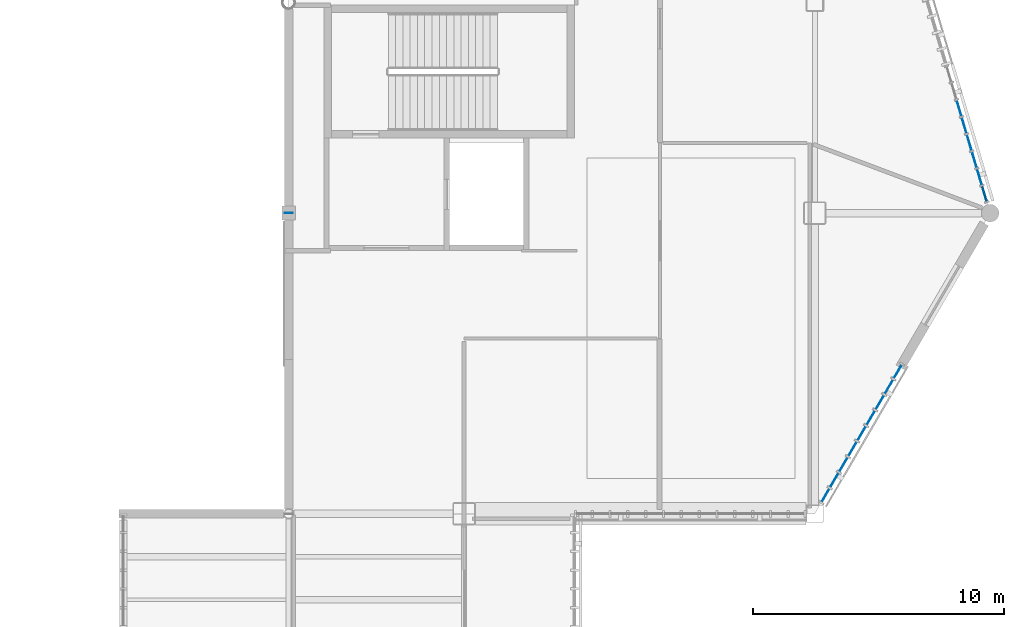
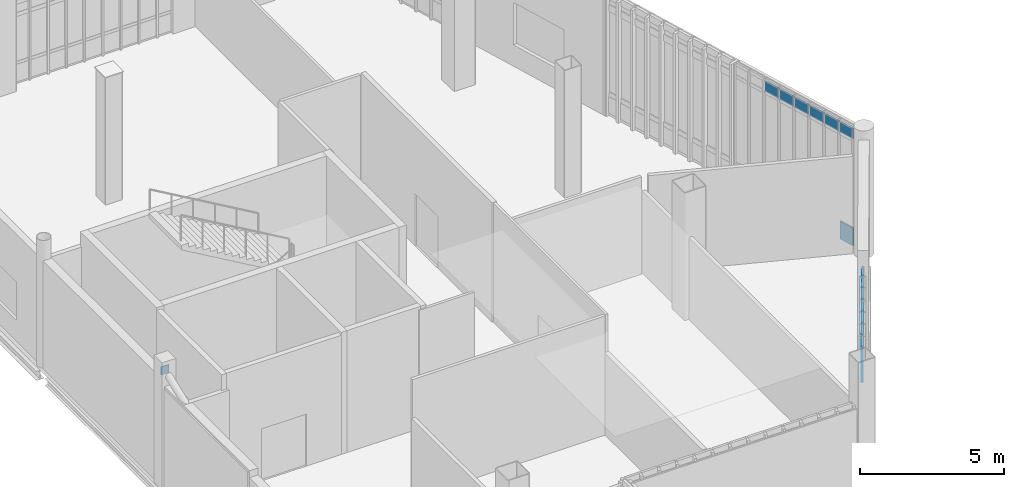
# One storey, part 100 of 127: 17 plates, 2 elements without a shape of their own.
"""IFC4 building model written with IfcOpenShell, lengths in metres."""

from ifc_helpers import new_model, si_unit, direction, frame, origin, origin_2d, place, context, subcontext, project, spatial, rectangle, extrude, material, layer, layer_set, type_object, element, aggregate, save


model = new_model("IFC4")

# Units and contexts
model_context = context("Model", 3, precision=1e-05, world=origin(), true_north=direction((0.0, 1.0)))
body_context = subcontext(model_context, "Body", "Model", "MODEL_VIEW")
ifc_project = project(units=[si_unit("LENGTHUNIT", "METRE"), si_unit("AREAUNIT", "SQUARE_METRE"), si_unit("VOLUMEUNIT", "CUBIC_METRE"), si_unit("PLANEANGLEUNIT", "RADIAN"), si_unit("MASSUNIT", "GRAM", prefix="KILO")], contexts=[model_context])

# Site, building, storey
site_placement = place(None, origin())
site = spatial("IfcSite", under=ifc_project, at=site_placement, CompositionType="ELEMENT")
building_placement = place(site_placement, origin())
building = spatial("IfcBuilding", under=site, at=building_placement, Name="Larkvane Passage Sports Hall", CompositionType="ELEMENT")
storey_placement = place(building_placement, frame((0.0, 0.0, 5.39990234375)))
storey = spatial("IfcBuildingStorey", under=building, at=storey_placement, Name="L01", CompositionType="ELEMENT", Elevation=5.39990234375)

# Curtain wall, plates
ifc_material_1 = material(Name="Thermally broken aluminium and low-E glazing", Category="aluminium")
curtain_wall_type_1 = type_object("IfcCurtainWallType", Name="CW-UNIT-COURT", PredefinedType="USERDEFINED", material=ifc_material_1)
curtain_wall_1_placement = place(storey_placement, origin())
curtain_wall_1 = element("IfcCurtainWall", 1, at=curtain_wall_1_placement, inside=storey, type_object=curtain_wall_type_1, Name="Curtain wall CW5-L01-056", ObjectType="UNITISED CURTAIN WALL", PredefinedType="USERDEFINED")
ifc_material_2 = material(Name="Insulated aluminium spandrel panel", Category="aluminium")
ifc_layer_1 = layer(ifc_material_2, 0.06494140625)
ifc_layer_set_1 = layer_set([ifc_layer_1], Name="Insulated aluminium spandrel panel")
plate_type_1 = type_object("IfcPlateType", Name="CWP-SPD-65", PredefinedType="CURTAIN_PANEL", material=ifc_layer_set_1)
plate_1_placement = place(storey_placement, frame((152.37109375, 76.371826171875, 0.065185546875), z_axis=(0.0, 0.0, 1.0), x_axis=(0.28436317806, -0.958716633299, 0.0)))
plate_1 = element("IfcPlate", 2, at=plate_1_placement, type_object=plate_type_1, Name="CW-01 panel 8.1", PredefinedType="CURTAIN_PANEL", context=body_context, shape_type="SweptSolid", body=[
    extrude(rectangle(XDim=0.617919921875, YDim=0.06494140625, at=origin_2d()), origin(), (0.0, 0.0, 1.0), 0.75244140625),
])
ifc_material_3 = material(Name="Solar-control low-E double glazing", Category="glass")
ifc_layer_2 = layer(ifc_material_3, 0.028076171875)
ifc_layer_set_2 = layer_set([ifc_layer_2], Name="Solar-control low-E double glazing")
plate_type_2 = type_object("IfcPlateType", Name="CWP-VIS-28", PredefinedType="CURTAIN_PANEL", material=ifc_layer_set_2)
plate_2_placement = place(storey_placement, frame((151.358642578125, 79.785400390625, 4.58251953125), z_axis=(0.0, 0.0, 1.0), x_axis=(0.28436317806, -0.958716633299, 0.0)))
plate_2 = element("IfcPlate", 3, at=plate_2_placement, type_object=plate_type_2, Name="CW-01 panel 3.3", PredefinedType="CURTAIN_PANEL", context=body_context, shape_type="SweptSolid", body=[
    extrude(rectangle(XDim=0.650390625, YDim=0.028076171875, at=origin_2d()), origin(), (0.0, 0.0, 1.0), 0.452392578125),
])
plate_3_placement = place(storey_placement, frame((151.56201171875, 79.099609375, 4.58251953125), z_axis=(0.0, 0.0, 1.0), x_axis=(0.28436317806, -0.958716633299, 0.0)))
plate_3 = element("IfcPlate", 4, at=plate_3_placement, type_object=plate_type_2, Name="CW-01 panel 4.3", PredefinedType="CURTAIN_PANEL", context=body_context, shape_type="SweptSolid", body=[
    extrude(rectangle(XDim=0.650390625, YDim=0.028076171875, at=origin_2d()), origin(), (0.0, 0.0, 1.0), 0.452392578125),
])
plate_4_placement = place(storey_placement, frame((151.765380859375, 78.413818359375, 4.58251953125), z_axis=(0.0, 0.0, 1.0), x_axis=(0.28436317806, -0.958716633299, 0.0)))
plate_4 = element("IfcPlate", 5, at=plate_4_placement, type_object=plate_type_2, Name="CW-01 panel 5.3", PredefinedType="CURTAIN_PANEL", context=body_context, shape_type="SweptSolid", body=[
    extrude(rectangle(XDim=0.650390625, YDim=0.028076171875, at=origin_2d()), origin(), (0.0, 0.0, 1.0), 0.452392578125),
])
plate_5_placement = place(storey_placement, frame((151.96875, 77.727783203125, 4.58251953125), z_axis=(0.0, 0.0, 1.0), x_axis=(0.28436317806, -0.958716633299, 0.0)))
plate_5 = element("IfcPlate", 6, at=plate_5_placement, type_object=plate_type_2, Name="CW-01 panel 6.3", PredefinedType="CURTAIN_PANEL", context=body_context, shape_type="SweptSolid", body=[
    extrude(rectangle(XDim=0.650390625, YDim=0.028076171875, at=origin_2d()), origin(), (0.0, 0.0, 1.0), 0.452392578125),
])
plate_6_placement = place(storey_placement, frame((152.17236328125, 77.0419921875, 4.58251953125), z_axis=(0.0, 0.0, 1.0), x_axis=(0.28436317806, -0.958716633299, 0.0)))
plate_6 = element("IfcPlate", 7, at=plate_6_placement, type_object=plate_type_2, Name="CW-01 panel 7.3", PredefinedType="CURTAIN_PANEL", context=body_context, shape_type="SweptSolid", body=[
    extrude(rectangle(XDim=0.650390625, YDim=0.028076171875, at=origin_2d()), origin(), (0.0, 0.0, 1.0), 0.452392578125),
])
plate_7_placement = place(storey_placement, frame((152.37109375, 76.371826171875, 4.58251953125), z_axis=(0.0, 0.0, 1.0), x_axis=(0.28436317806, -0.958716633299, 0.0)))
plate_7 = element("IfcPlate", 8, at=plate_7_placement, type_object=plate_type_2, Name="CW-01 panel 8.3", PredefinedType="CURTAIN_PANEL", context=body_context, shape_type="SweptSolid", body=[
    extrude(rectangle(XDim=0.617919921875, YDim=0.028076171875, at=origin_2d()), origin(), (0.0, 0.0, 1.0), 0.452392578125),
])
aggregate(curtain_wall_1, [plate_2, plate_3, plate_4, plate_5, plate_6, plate_1, plate_7])

curtain_wall_type_2 = type_object("IfcCurtainWallType", Name="CW-UNIT-VEIL", PredefinedType="USERDEFINED", material=ifc_material_1)
curtain_wall_2_placement = place(storey_placement, origin())
curtain_wall_2 = element("IfcCurtainWall", 9, at=curtain_wall_2_placement, inside=storey, type_object=curtain_wall_type_2, Name="Curtain wall CW5-L01-057", ObjectType="UNITISED CURTAIN WALL", PredefinedType="USERDEFINED")
ifc_material_4 = material(Name="Laminated acoustic low-E glazing", Category="glass")
ifc_layer_3 = layer(ifc_material_4, 0.031982421875)
ifc_layer_set_3 = layer_set([ifc_layer_3], Name="Laminated acoustic low-E glazing")
plate_type_3 = type_object("IfcPlateType", Name="CWP-VIS-32", PredefinedType="CURTAIN_PANEL", material=ifc_layer_set_3)
plate_8_placement = place(storey_placement, frame((148.909423828125, 69.273193359375, 3.855712890625), z_axis=(0.0, 0.0, 1.0), x_axis=(-0.503867182467, -0.86378114267, 0.0)))
plate_8 = element("IfcPlate", 10, at=plate_8_placement, type_object=plate_type_3, Name="CW-02 panel 1.3", PredefinedType="CURTAIN_PANEL", context=body_context, shape_type="SweptSolid", body=[
    extrude(rectangle(XDim=0.6064453125, YDim=0.031982421875, at=origin_2d()), origin(), (0.0, 0.0, 1.0), 0.4375),
])
plate_9_placement = place(storey_placement, frame((148.556640625, 68.668212890625, 3.855712890625), z_axis=(0.0, 0.0, 1.0), x_axis=(-0.503867182467, -0.86378114267, 0.0)))
plate_9 = element("IfcPlate", 11, at=plate_9_placement, type_object=plate_type_3, Name="CW-02 panel 2.3", PredefinedType="CURTAIN_PANEL", context=body_context, shape_type="SweptSolid", body=[
    extrude(rectangle(XDim=0.64404296875, YDim=0.031982421875, at=origin_2d()), origin(), (0.0, 0.0, 1.0), 0.4375),
])
plate_10_placement = place(storey_placement, frame((148.1943359375, 68.047119140625, 3.855712890625), z_axis=(0.0, 0.0, 1.0), x_axis=(-0.503867182467, -0.86378114267, 0.0)))
plate_10 = element("IfcPlate", 12, at=plate_10_placement, type_object=plate_type_3, Name="CW-02 panel 3.3", PredefinedType="CURTAIN_PANEL", context=body_context, shape_type="SweptSolid", body=[
    extrude(rectangle(XDim=0.64404296875, YDim=0.031982421875, at=origin_2d()), origin(), (0.0, 0.0, 1.0), 0.4375),
])
plate_11_placement = place(storey_placement, frame((147.83203125, 67.426025390625, 3.855712890625), z_axis=(0.0, 0.0, 1.0), x_axis=(-0.503867182467, -0.86378114267, 0.0)))
plate_11 = element("IfcPlate", 13, at=plate_11_placement, type_object=plate_type_3, Name="CW-02 panel 4.3", PredefinedType="CURTAIN_PANEL", context=body_context, shape_type="SweptSolid", body=[
    extrude(rectangle(XDim=0.64404296875, YDim=0.031982421875, at=origin_2d()), origin(), (0.0, 0.0, 1.0), 0.4375),
])
plate_12_placement = place(storey_placement, frame((147.469482421875, 66.804931640625, 3.855712890625), z_axis=(0.0, 0.0, 1.0), x_axis=(-0.503867182467, -0.86378114267, 0.0)))
plate_12 = element("IfcPlate", 14, at=plate_12_placement, type_object=plate_type_3, Name="CW-02 panel 5.3", PredefinedType="CURTAIN_PANEL", context=body_context, shape_type="SweptSolid", body=[
    extrude(rectangle(XDim=0.64404296875, YDim=0.031982421875, at=origin_2d()), origin(), (0.0, 0.0, 1.0), 0.4375),
])
plate_13_placement = place(storey_placement, frame((147.107177734375, 66.183837890625, 3.855712890625), z_axis=(0.0, 0.0, 1.0), x_axis=(-0.503867182467, -0.86378114267, 0.0)))
plate_13 = element("IfcPlate", 15, at=plate_13_placement, type_object=plate_type_3, Name="CW-02 panel 6.3", PredefinedType="CURTAIN_PANEL", context=body_context, shape_type="SweptSolid", body=[
    extrude(rectangle(XDim=0.64404296875, YDim=0.031982421875, at=origin_2d()), origin(), (0.0, 0.0, 1.0), 0.4375),
])
plate_14_placement = place(storey_placement, frame((146.744873046875, 65.562744140625, 3.855712890625), z_axis=(0.0, 0.0, 1.0), x_axis=(-0.503867182467, -0.86378114267, 0.0)))
plate_14 = element("IfcPlate", 16, at=plate_14_placement, type_object=plate_type_3, Name="CW-02 panel 7.3", PredefinedType="CURTAIN_PANEL", context=body_context, shape_type="SweptSolid", body=[
    extrude(rectangle(XDim=0.64404296875, YDim=0.031982421875, at=origin_2d()), origin(), (0.0, 0.0, 1.0), 0.4375),
])
plate_15_placement = place(storey_placement, frame((146.382568359375, 64.941650390625, 3.855712890625), z_axis=(0.0, 0.0, 1.0), x_axis=(-0.503867182467, -0.86378114267, 0.0)))
plate_15 = element("IfcPlate", 17, at=plate_15_placement, type_object=plate_type_3, Name="CW-02 panel 8.3", PredefinedType="CURTAIN_PANEL", context=body_context, shape_type="SweptSolid", body=[
    extrude(rectangle(XDim=0.64404296875, YDim=0.031982421875, at=origin_2d()), origin(), (0.0, 0.0, 1.0), 0.4375),
])
plate_16_placement = place(storey_placement, frame((146.02978515625, 64.336669921875, 3.855712890625), z_axis=(0.0, 0.0, 1.0), x_axis=(-0.503867182467, -0.86378114267, 0.0)))
plate_16 = element("IfcPlate", 18, at=plate_16_placement, type_object=plate_type_3, Name="CW-02 panel 9.3", PredefinedType="CURTAIN_PANEL", context=body_context, shape_type="SweptSolid", body=[
    extrude(rectangle(XDim=0.6064453125, YDim=0.031982421875, at=origin_2d()), origin(), (0.0, 0.0, 1.0), 0.4375),
])
aggregate(curtain_wall_2, [plate_8, plate_9, plate_10, plate_11, plate_12, plate_13, plate_14, plate_15, plate_16])

# Plate
ifc_material_5 = material(Name="Steel S355JR", Category="steel")
ifc_layer_4 = layer(ifc_material_5, 0.011962890625)
ifc_layer_set_4 = layer_set([ifc_layer_4], Name="Steel S355JR")
plate_type_4 = type_object("IfcPlateType", Name="PLT-CAP-12", PredefinedType="SHEET", material=ifc_layer_set_4)
plate_17_placement = place(storey_placement, frame((124.60009765625, 75.605712890625, 4.6787109375), z_axis=(0.0, 0.0, 1.0), x_axis=(-1.0, 0.0, 0.0)))
element("IfcPlate", 19, at=plate_17_placement, inside=storey, type_object=plate_type_4, Name="Hollow section sealed end cap plate 0590", PredefinedType="SHEET", context=body_context, shape_type="SweptSolid", body=[
    extrude(rectangle(XDim=0.326904296875, YDim=0.028076171875, at=origin_2d()), origin(), (0.0, 0.0, 1.0), 0.346923828125),
])

save(model, "model.ifc")
